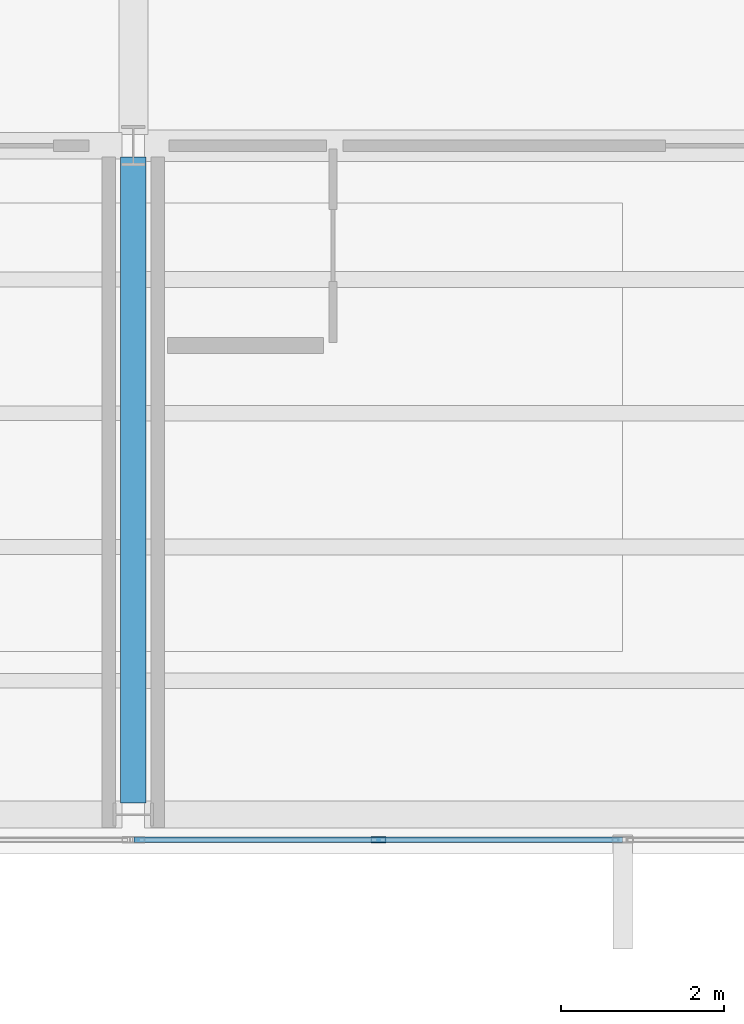
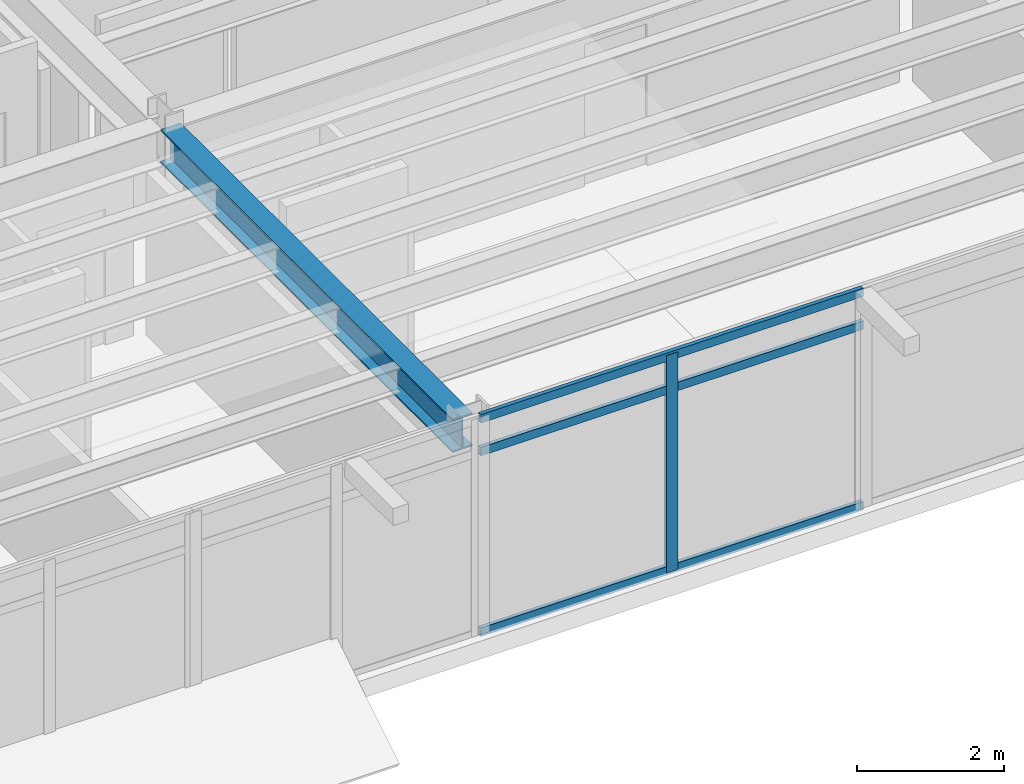
# One storey, part 7 of 19: 4 members, 1 beam, 1 element without a shape of its own.
"""IFC4 building model written with IfcOpenShell, lengths in metres."""

from ifc_helpers import new_model, si_unit, direction, frame, origin, origin_2d, place, context, subcontext, project, spatial, hollow_rectangle, i_section, extrude, material, layer, layer_set, material_profile, profile_set, type_object, element, aggregate, save


model = new_model("IFC4")

# Units and contexts
model_context = context("Model", 3, precision=1e-05, world=origin(), true_north=direction((0.0, 1.0)))
body_context = subcontext(model_context, "Body", "Model", "MODEL_VIEW")
ifc_project = project(units=[si_unit("LENGTHUNIT", "METRE"), si_unit("AREAUNIT", "SQUARE_METRE"), si_unit("VOLUMEUNIT", "CUBIC_METRE"), si_unit("PLANEANGLEUNIT", "RADIAN"), si_unit("MASSUNIT", "GRAM", prefix="KILO")], contexts=[model_context])

# Site, building, storey
site_placement = place(None, origin())
site = spatial("IfcSite", under=ifc_project, at=site_placement, CompositionType="ELEMENT")
building_placement = place(site_placement, origin())
building = spatial("IfcBuilding", under=site, at=building_placement, Name="Sollismere Congress Hotel", CompositionType="ELEMENT")
storey_placement = place(building_placement, frame((0.0, 0.0, 44.60009765625)))
storey = spatial("IfcBuildingStorey", under=building, at=storey_placement, Name="L11", CompositionType="ELEMENT", Elevation=44.60009765625)

# Beam
ifc_material_1 = material(Name="Steel ASTM A992 Grade 50", Category="steel")
ifc_material_profile_1 = material_profile(ifc_material_1, i_section(OverallWidth=0.31494140625, OverallDepth=0.551025390625, WebThickness=0.01513671875, FlangeThickness=0.0244140625, at=origin_2d()), Name="W21X122")
ifc_profile_set_1 = profile_set([ifc_material_profile_1], Name="Steel ASTM A992 Grade 50")
beam_type = type_object("IfcBeamType", Name="BM-G21H", PredefinedType="BEAM", material=ifc_profile_set_1)
beam_placement = place(storey_placement, frame((112.0, 0.139892578125, 3.04931640625), z_axis=(0.0, 1.0, 0.0), x_axis=(-1.0, 0.0, 0.0)))
element("IfcBeam", 1, at=beam_placement, inside=storey, type_object=beam_type, Name="Beam BM-L11-3766", PredefinedType="BEAM", context=body_context, shape_type="SweptSolid", body=[
    extrude(i_section(OverallWidth=0.31494140625, OverallDepth=0.551025390625, WebThickness=0.01513671875, FlangeThickness=0.0244140625, at=origin_2d()), origin(), (0.0, 0.0, 1.0), 7.920166015625),
])

# Curtain wall, members
ifc_material_2 = material(Name="Anodized Bronze Curtain Wall & Low-E Triple Glazing", Category="glass")
ifc_layer = layer(ifc_material_2, 0.199951171875, Name="Anodized Bronze Curtain Wall & Low-E Triple Glazing")
ifc_layer_set = layer_set([ifc_layer], Name="Anodized Bronze Curtain Wall & Low-E Triple Glazing")
curtain_wall_type = type_object("IfcCurtainWallType", Name="CW-GLZ36", PredefinedType="USERDEFINED", material=ifc_layer_set)
curtain_wall_placement = place(storey_placement, origin())
curtain_wall = element("IfcCurtainWall", 2, at=curtain_wall_placement, inside=storey, type_object=curtain_wall_type, Name="Unitised curtain wall CW-L11-163", ObjectType="UNITISED CURTAIN WALL", PredefinedType="USERDEFINED")
ifc_material_3 = material(Name="Anodized Aluminum 6063-T6", Category="aluminium")
ifc_material_profile_2 = material_profile(ifc_material_3, hollow_rectangle(XDim=0.074951171875, YDim=0.179931640625, WallThickness=0.0048828125, at=origin_2d()), Name="ALU180X75X5")
ifc_profile_set_2 = profile_set([ifc_material_profile_2], Name="Anodized Aluminum 6063-T6")
member_type_1 = type_object("IfcMemberType", Name="ML-CW180", PredefinedType="MULLION", material=ifc_profile_set_2)
member_1_placement = place(storey_placement, frame((115.0048828125, -0.31005859375, 0.0), z_axis=(0.0, 0.0, 1.0), x_axis=(0.0, 1.0, 0.0)))
member_1 = element("IfcMember", 3, at=member_1_placement, type_object=member_type_1, Name="CWL-CW-L11-163-ML02", PredefinedType="MULLION", context=body_context, shape_type="SweptSolid", body=[
    extrude(hollow_rectangle(XDim=0.074951171875, YDim=0.179931640625, WallThickness=0.0048828125, at=origin_2d()), origin(), (0.0, 0.0, 1.0), 3.599853515625),
])
ifc_material_profile_3 = material_profile(ifc_material_3, hollow_rectangle(XDim=0.06494140625, YDim=0.139892578125, WallThickness=0.00390625, at=origin_2d()), Name="ALU140X65X4")
ifc_profile_set_3 = profile_set([ifc_material_profile_3], Name="Anodized Aluminum 6063-T6")
member_type_2 = type_object("IfcMemberType", Name="TR-CW150", PredefinedType="MEMBER", material=ifc_profile_set_3)
member_2_placement = place(storey_placement, frame((112.010009765625, -0.31005859375, 0.032470703125), z_axis=(1.0, 0.0, 0.0), x_axis=(0.0, 1.0, 0.0)))
member_2 = element("IfcMember", 4, at=member_2_placement, type_object=member_type_2, Name="CWL-CW-L11-163-TR1", PredefinedType="MEMBER", context=body_context, shape_type="SweptSolid", body=[
    extrude(hollow_rectangle(XDim=0.06494140625, YDim=0.139892578125, WallThickness=0.00390625, at=origin_2d()), origin(), (0.0, 0.0, 1.0), 5.989990234375),
])
member_3_placement = place(storey_placement, frame((112.010009765625, -0.31005859375, 3.02392578125), z_axis=(1.0, 0.0, 0.0), x_axis=(0.0, 1.0, 0.0)))
member_3 = element("IfcMember", 5, at=member_3_placement, type_object=member_type_2, Name="CWL-CW-L11-163-TR2", PredefinedType="MEMBER", context=body_context, shape_type="SweptSolid", body=[
    extrude(hollow_rectangle(XDim=0.06494140625, YDim=0.139892578125, WallThickness=0.00390625, at=origin_2d()), origin(), (0.0, 0.0, 1.0), 5.989990234375),
])
member_4_placement = place(storey_placement, frame((112.010009765625, -0.31005859375, 3.5673828125), z_axis=(1.0, 0.0, 0.0), x_axis=(0.0, 1.0, 0.0)))
member_4 = element("IfcMember", 6, at=member_4_placement, type_object=member_type_2, Name="CWL-CW-L11-163-TR3", PredefinedType="MEMBER", context=body_context, shape_type="SweptSolid", body=[
    extrude(hollow_rectangle(XDim=0.06494140625, YDim=0.139892578125, WallThickness=0.00390625, at=origin_2d()), origin(), (0.0, 0.0, 1.0), 5.989990234375),
])
aggregate(curtain_wall, [member_1, member_2, member_3, member_4])

save(model, "model.ifc")
